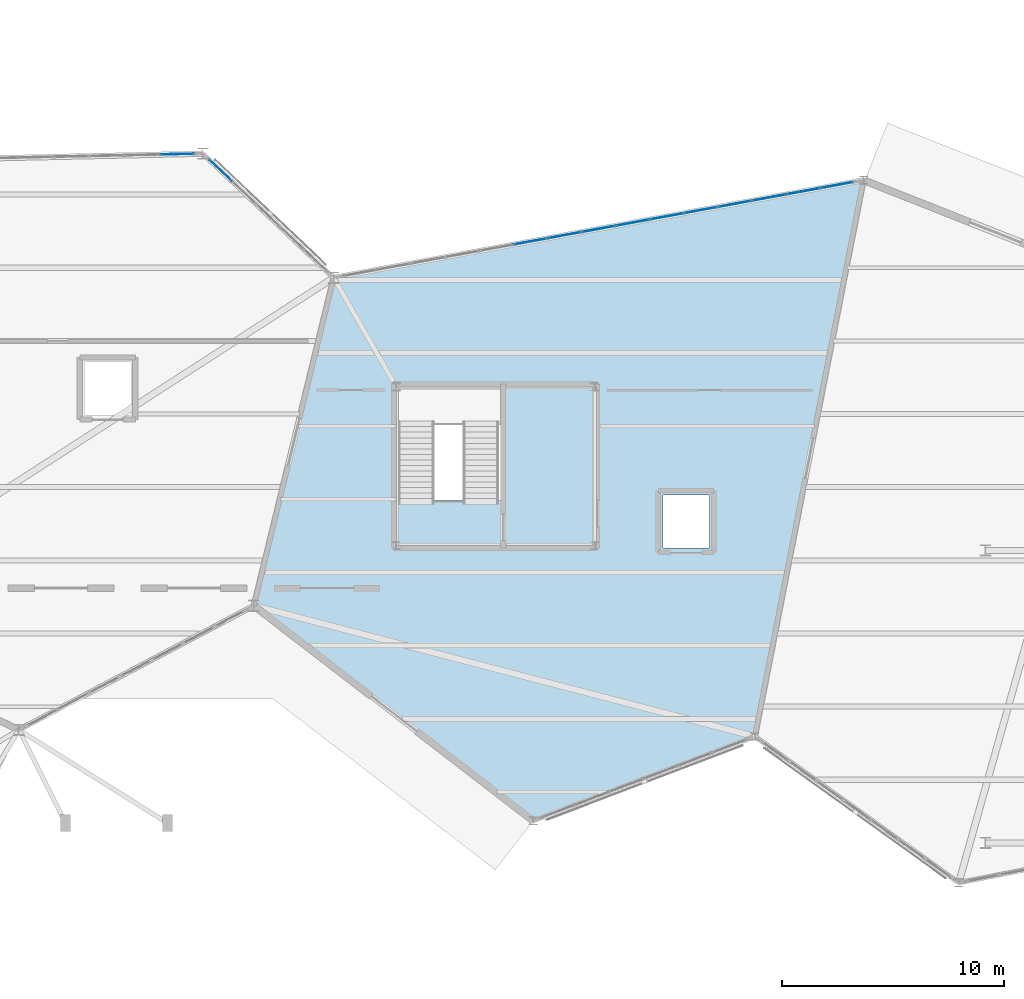
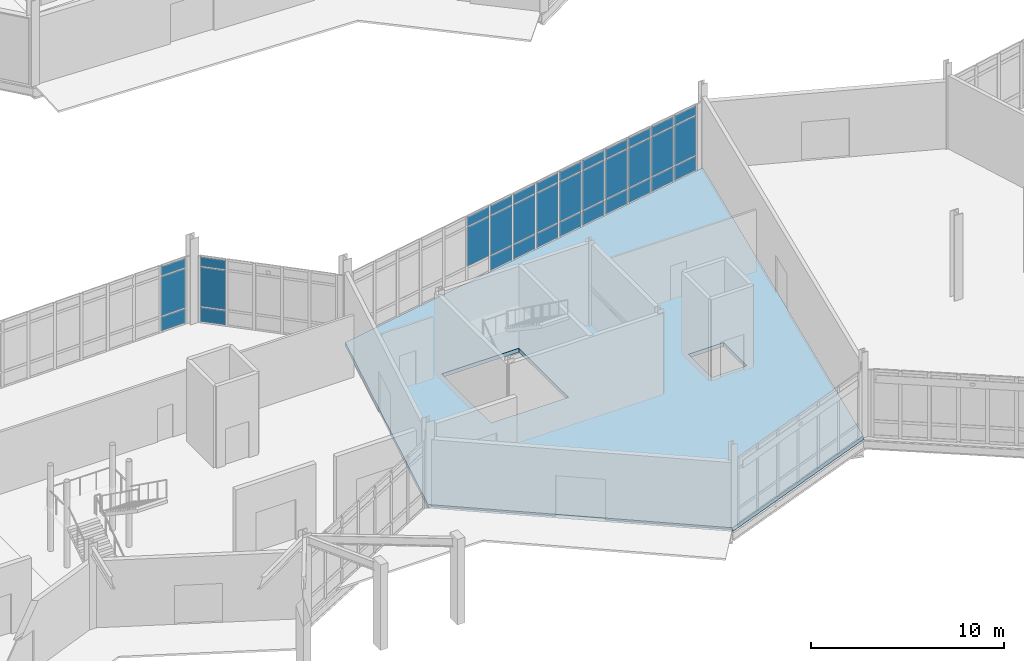
# One storey, part 74 of 113: 35 plates, 1 slab, 3 elements without a shape of their own.
"""IFC4 building model written with IfcOpenShell, lengths in metres."""

from ifc_helpers import new_model, si_unit, direction, frame, origin, origin_2d, place, context, subcontext, project, spatial, polyline, rectangle, outline, extrude, material, layer, layer_set, type_object, element, aggregate, save


model = new_model("IFC4")

# Units and contexts
model_context = context("Model", 3, precision=1e-05, world=origin(), true_north=direction((0.0, 1.0)))
body_context = subcontext(model_context, "Body", "Model", "MODEL_VIEW")
ifc_project = project(units=[si_unit("LENGTHUNIT", "METRE"), si_unit("AREAUNIT", "SQUARE_METRE"), si_unit("VOLUMEUNIT", "CUBIC_METRE"), si_unit("PLANEANGLEUNIT", "RADIAN"), si_unit("MASSUNIT", "GRAM", prefix="KILO")], contexts=[model_context])

# Site, building, storey
site_placement = place(None, origin())
site = spatial("IfcSite", under=ifc_project, at=site_placement, CompositionType="ELEMENT")
building_placement = place(site_placement, origin())
building = spatial("IfcBuilding", under=site, at=building_placement, Name="Tameran Prism Museum", CompositionType="ELEMENT")
storey_placement = place(building_placement, origin())
storey = spatial("IfcBuildingStorey", under=building, at=storey_placement, Name="L00", CompositionType="ELEMENT", Elevation=0.0)

# Curtain wall, plates
ifc_material_1 = material(Name="Anodised Aluminium 6063-T6 and Cyclone Solar Glass", Category="aluminium")
curtain_wall_type_1 = type_object("IfcCurtainWallType", Name="CW-FAC-738x422", PredefinedType="USERDEFINED", material=ifc_material_1)
curtain_wall_1_placement = place(storey_placement, origin())
curtain_wall_1 = element("IfcCurtainWall", 1, at=curtain_wall_1_placement, inside=storey, type_object=curtain_wall_type_1, Name="Unitised Curtain Wall CW-031", ObjectType="UNITISED CURTAIN WALL", PredefinedType="USERDEFINED")
ifc_material_2 = material(Name="Cyclone Laminated Solar Glass", Category="glass")
ifc_layer_1 = layer(ifc_material_2, 0.031982421875)
ifc_layer_set_1 = layer_set([ifc_layer_1])
plate_type = type_object("IfcPlateType", Name="CW-PNL-G32", PredefinedType="CURTAIN_PANEL", material=ifc_layer_set_1)
plate_1_placement = place(storey_placement, frame((96.6005859375, 47.840087890625, 0.06494140625), z_axis=(0.0, 0.0, 1.0), x_axis=(0.725307438491, -0.688425100987, 0.0)))
plate_1 = element("IfcPlate", 2, at=plate_1_placement, type_object=plate_type, Name="CW-031 panel 1.1", PredefinedType="CURTAIN_PANEL", context=body_context, shape_type="SweptSolid", body=[
    extrude(rectangle(XDim=1.37744140625, YDim=0.031982421875, at=origin_2d()), origin(), (0.0, 0.0, 1.0), 0.902587890625),
])
plate_2_placement = place(storey_placement, frame((96.6005859375, 47.840087890625, 1.032470703125), z_axis=(0.0, 0.0, 1.0), x_axis=(0.725307438491, -0.688425100987, 0.0)))
plate_2 = element("IfcPlate", 3, at=plate_2_placement, type_object=plate_type, Name="CW-031 panel 1.2", PredefinedType="CURTAIN_PANEL", context=body_context, shape_type="SweptSolid", body=[
    extrude(rectangle(XDim=1.37744140625, YDim=0.031982421875, at=origin_2d()), origin(), (0.0, 0.0, 1.0), 2.47509765625),
])
plate_3_placement = place(storey_placement, frame((96.6005859375, 47.840087890625, 3.572509765625), z_axis=(0.0, 0.0, 1.0), x_axis=(0.725307438491, -0.688425100987, 0.0)))
plate_3 = element("IfcPlate", 4, at=plate_3_placement, type_object=plate_type, Name="CW-031 panel 1.3", PredefinedType="CURTAIN_PANEL", context=body_context, shape_type="SweptSolid", body=[
    extrude(rectangle(XDim=1.37744140625, YDim=0.031982421875, at=origin_2d()), origin(), (0.0, 0.0, 1.0), 0.58251953125),
])
aggregate(curtain_wall_1, [plate_1, plate_2, plate_3])

ifc_material_3 = material(Name="Anodised Aluminium 6063-T6 and Cyclone Solar Glass", Category="aluminium")
curtain_wall_type_2 = type_object("IfcCurtainWallType", Name="CW-FAC-1754x422", PredefinedType="USERDEFINED", material=ifc_material_3)
curtain_wall_2_placement = place(storey_placement, origin())
curtain_wall_2 = element("IfcCurtainWall", 5, at=curtain_wall_2_placement, inside=storey, type_object=curtain_wall_type_2, Name="Unitised Curtain Wall CW-032", ObjectType="UNITISED CURTAIN WALL", PredefinedType="USERDEFINED")
plate_4_placement = place(storey_placement, frame((94.63525390625, 48.57421875, 0.070068359375), z_axis=(0.0, 0.0, 1.0), x_axis=(0.999761684053, 0.021830600058, 0.0)))
plate_4 = element("IfcPlate", 6, at=plate_4_placement, type_object=plate_type, Name="CW-032 panel 11.1", PredefinedType="CURTAIN_PANEL", context=body_context, shape_type="SweptSolid", body=[
    extrude(rectangle(XDim=1.489990234375, YDim=0.031982421875, at=origin_2d()), origin(), (0.0, 0.0, 1.0), 0.89501953125),
])
plate_5_placement = place(storey_placement, frame((94.63525390625, 48.57421875, 1.03515625), z_axis=(0.0, 0.0, 1.0), x_axis=(0.999761684053, 0.021830600058, 0.0)))
plate_5 = element("IfcPlate", 7, at=plate_5_placement, type_object=plate_type, Name="CW-032 panel 11.2", PredefinedType="CURTAIN_PANEL", context=body_context, shape_type="SweptSolid", body=[
    extrude(rectangle(XDim=1.489990234375, YDim=0.031982421875, at=origin_2d()), origin(), (0.0, 0.0, 1.0), 2.469970703125),
])
plate_6_placement = place(storey_placement, frame((94.63525390625, 48.57421875, 3.5751953125), z_axis=(0.0, 0.0, 1.0), x_axis=(0.999761684053, 0.021830600058, 0.0)))
plate_6 = element("IfcPlate", 8, at=plate_6_placement, type_object=plate_type, Name="CW-032 panel 11.3", PredefinedType="CURTAIN_PANEL", context=body_context, shape_type="SweptSolid", body=[
    extrude(rectangle(XDim=1.489990234375, YDim=0.031982421875, at=origin_2d()), origin(), (0.0, 0.0, 1.0), 0.574951171875),
])
aggregate(curtain_wall_2, [plate_4, plate_5, plate_6])

ifc_material_4 = material(Name="Anodised Aluminium 6063-T6 and Cyclone Solar Glass", Category="aluminium")
curtain_wall_type_3 = type_object("IfcCurtainWallType", Name="CW-FAC-2348x422", PredefinedType="USERDEFINED", material=ifc_material_4)
curtain_wall_3_placement = place(storey_placement, origin())
curtain_wall_3 = element("IfcCurtainWall", 9, at=curtain_wall_3_placement, inside=storey, type_object=curtain_wall_type_3, Name="Unitised Curtain Wall CW-036", ObjectType="UNITISED CURTAIN WALL", PredefinedType="USERDEFINED")
plate_7_placement = place(storey_placement, frame((110.5693359375, 44.6328125, 1.03515625), z_axis=(0.0, 0.0, 1.0), x_axis=(0.98347155585, 0.181062693106, 0.0)))
plate_7 = element("IfcPlate", 10, at=plate_7_placement, type_object=plate_type, Name="CW-036 panel 6.2", PredefinedType="CURTAIN_PANEL", context=body_context, shape_type="SweptSolid", body=[
    extrude(rectangle(XDim=1.4951171875, YDim=0.031982421875, at=origin_2d()), origin(), (0.0, 0.0, 1.0), 2.469970703125),
])
plate_8_placement = place(storey_placement, frame((110.5693359375, 44.6328125, 3.5751953125), z_axis=(0.0, 0.0, 1.0), x_axis=(0.98347155585, 0.181062693106, 0.0)))
plate_8 = element("IfcPlate", 11, at=plate_8_placement, type_object=plate_type, Name="CW-036 panel 6.3", PredefinedType="CURTAIN_PANEL", context=body_context, shape_type="SweptSolid", body=[
    extrude(rectangle(XDim=1.4951171875, YDim=0.031982421875, at=origin_2d()), origin(), (0.0, 0.0, 1.0), 0.574951171875),
])
plate_9_placement = place(storey_placement, frame((112.108642578125, 44.916015625, 0.070068359375), z_axis=(0.0, 0.0, 1.0), x_axis=(0.98347155585, 0.181062693106, 0.0)))
plate_9 = element("IfcPlate", 12, at=plate_9_placement, type_object=plate_type, Name="CW-036 panel 7.1", PredefinedType="CURTAIN_PANEL", context=body_context, shape_type="SweptSolid", body=[
    extrude(rectangle(XDim=1.4951171875, YDim=0.031982421875, at=origin_2d()), origin(), (0.0, 0.0, 1.0), 0.89501953125),
])
plate_10_placement = place(storey_placement, frame((112.108642578125, 44.916015625, 1.03515625), z_axis=(0.0, 0.0, 1.0), x_axis=(0.98347155585, 0.181062693106, 0.0)))
plate_10 = element("IfcPlate", 13, at=plate_10_placement, type_object=plate_type, Name="CW-036 panel 7.2", PredefinedType="CURTAIN_PANEL", context=body_context, shape_type="SweptSolid", body=[
    extrude(rectangle(XDim=1.4951171875, YDim=0.031982421875, at=origin_2d()), origin(), (0.0, 0.0, 1.0), 2.469970703125),
])
plate_11_placement = place(storey_placement, frame((112.108642578125, 44.916015625, 3.5751953125), z_axis=(0.0, 0.0, 1.0), x_axis=(0.98347155585, 0.181062693106, 0.0)))
plate_11 = element("IfcPlate", 14, at=plate_11_placement, type_object=plate_type, Name="CW-036 panel 7.3", PredefinedType="CURTAIN_PANEL", context=body_context, shape_type="SweptSolid", body=[
    extrude(rectangle(XDim=1.4951171875, YDim=0.031982421875, at=origin_2d()), origin(), (0.0, 0.0, 1.0), 0.574951171875),
])
plate_12_placement = place(storey_placement, frame((113.64794921875, 45.199462890625, 0.070068359375), z_axis=(0.0, 0.0, 1.0), x_axis=(0.98347155585, 0.181062693106, 0.0)))
plate_12 = element("IfcPlate", 15, at=plate_12_placement, type_object=plate_type, Name="CW-036 panel 8.1", PredefinedType="CURTAIN_PANEL", context=body_context, shape_type="SweptSolid", body=[
    extrude(rectangle(XDim=1.4951171875, YDim=0.031982421875, at=origin_2d()), origin(), (0.0, 0.0, 1.0), 0.89501953125),
])
plate_13_placement = place(storey_placement, frame((113.64794921875, 45.199462890625, 1.03515625), z_axis=(0.0, 0.0, 1.0), x_axis=(0.98347155585, 0.181062693106, 0.0)))
plate_13 = element("IfcPlate", 16, at=plate_13_placement, type_object=plate_type, Name="CW-036 panel 8.2", PredefinedType="CURTAIN_PANEL", context=body_context, shape_type="SweptSolid", body=[
    extrude(rectangle(XDim=1.4951171875, YDim=0.031982421875, at=origin_2d()), origin(), (0.0, 0.0, 1.0), 2.469970703125),
])
plate_14_placement = place(storey_placement, frame((113.64794921875, 45.199462890625, 3.5751953125), z_axis=(0.0, 0.0, 1.0), x_axis=(0.98347155585, 0.181062693106, 0.0)))
plate_14 = element("IfcPlate", 17, at=plate_14_placement, type_object=plate_type, Name="CW-036 panel 8.3", PredefinedType="CURTAIN_PANEL", context=body_context, shape_type="SweptSolid", body=[
    extrude(rectangle(XDim=1.4951171875, YDim=0.031982421875, at=origin_2d()), origin(), (0.0, 0.0, 1.0), 0.574951171875),
])
plate_15_placement = place(storey_placement, frame((115.187255859375, 45.48291015625, 0.070068359375), z_axis=(0.0, 0.0, 1.0), x_axis=(0.98347155585, 0.181062693106, 0.0)))
plate_15 = element("IfcPlate", 18, at=plate_15_placement, type_object=plate_type, Name="CW-036 panel 9.1", PredefinedType="CURTAIN_PANEL", context=body_context, shape_type="SweptSolid", body=[
    extrude(rectangle(XDim=1.4951171875, YDim=0.031982421875, at=origin_2d()), origin(), (0.0, 0.0, 1.0), 0.89501953125),
])
plate_16_placement = place(storey_placement, frame((115.187255859375, 45.48291015625, 1.03515625), z_axis=(0.0, 0.0, 1.0), x_axis=(0.98347155585, 0.181062693106, 0.0)))
plate_16 = element("IfcPlate", 19, at=plate_16_placement, type_object=plate_type, Name="CW-036 panel 9.2", PredefinedType="CURTAIN_PANEL", context=body_context, shape_type="SweptSolid", body=[
    extrude(rectangle(XDim=1.4951171875, YDim=0.031982421875, at=origin_2d()), origin(), (0.0, 0.0, 1.0), 2.469970703125),
])
plate_17_placement = place(storey_placement, frame((115.187255859375, 45.48291015625, 3.5751953125), z_axis=(0.0, 0.0, 1.0), x_axis=(0.98347155585, 0.181062693106, 0.0)))
plate_17 = element("IfcPlate", 20, at=plate_17_placement, type_object=plate_type, Name="CW-036 panel 9.3", PredefinedType="CURTAIN_PANEL", context=body_context, shape_type="SweptSolid", body=[
    extrude(rectangle(XDim=1.4951171875, YDim=0.031982421875, at=origin_2d()), origin(), (0.0, 0.0, 1.0), 0.574951171875),
])
plate_18_placement = place(storey_placement, frame((116.7265625, 45.766357421875, 0.070068359375), z_axis=(0.0, 0.0, 1.0), x_axis=(0.98347155585, 0.181062693106, 0.0)))
plate_18 = element("IfcPlate", 21, at=plate_18_placement, type_object=plate_type, Name="CW-036 panel 10.1", PredefinedType="CURTAIN_PANEL", context=body_context, shape_type="SweptSolid", body=[
    extrude(rectangle(XDim=1.4951171875, YDim=0.031982421875, at=origin_2d()), origin(), (0.0, 0.0, 1.0), 0.89501953125),
])
plate_19_placement = place(storey_placement, frame((116.7265625, 45.766357421875, 1.03515625), z_axis=(0.0, 0.0, 1.0), x_axis=(0.98347155585, 0.181062693106, 0.0)))
plate_19 = element("IfcPlate", 22, at=plate_19_placement, type_object=plate_type, Name="CW-036 panel 10.2", PredefinedType="CURTAIN_PANEL", context=body_context, shape_type="SweptSolid", body=[
    extrude(rectangle(XDim=1.4951171875, YDim=0.031982421875, at=origin_2d()), origin(), (0.0, 0.0, 1.0), 2.469970703125),
])
plate_20_placement = place(storey_placement, frame((116.7265625, 45.766357421875, 3.5751953125), z_axis=(0.0, 0.0, 1.0), x_axis=(0.98347155585, 0.181062693106, 0.0)))
plate_20 = element("IfcPlate", 23, at=plate_20_placement, type_object=plate_type, Name="CW-036 panel 10.3", PredefinedType="CURTAIN_PANEL", context=body_context, shape_type="SweptSolid", body=[
    extrude(rectangle(XDim=1.4951171875, YDim=0.031982421875, at=origin_2d()), origin(), (0.0, 0.0, 1.0), 0.574951171875),
])
plate_21_placement = place(storey_placement, frame((118.26611328125, 46.0498046875, 0.070068359375), z_axis=(0.0, 0.0, 1.0), x_axis=(0.98347155585, 0.181062693106, 0.0)))
plate_21 = element("IfcPlate", 24, at=plate_21_placement, type_object=plate_type, Name="CW-036 panel 11.1", PredefinedType="CURTAIN_PANEL", context=body_context, shape_type="SweptSolid", body=[
    extrude(rectangle(XDim=1.4951171875, YDim=0.031982421875, at=origin_2d()), origin(), (0.0, 0.0, 1.0), 0.89501953125),
])
plate_22_placement = place(storey_placement, frame((118.26611328125, 46.0498046875, 1.03515625), z_axis=(0.0, 0.0, 1.0), x_axis=(0.98347155585, 0.181062693106, 0.0)))
plate_22 = element("IfcPlate", 25, at=plate_22_placement, type_object=plate_type, Name="CW-036 panel 11.2", PredefinedType="CURTAIN_PANEL", context=body_context, shape_type="SweptSolid", body=[
    extrude(rectangle(XDim=1.4951171875, YDim=0.031982421875, at=origin_2d()), origin(), (0.0, 0.0, 1.0), 2.469970703125),
])
plate_23_placement = place(storey_placement, frame((118.26611328125, 46.0498046875, 3.5751953125), z_axis=(0.0, 0.0, 1.0), x_axis=(0.98347155585, 0.181062693106, 0.0)))
plate_23 = element("IfcPlate", 26, at=plate_23_placement, type_object=plate_type, Name="CW-036 panel 11.3", PredefinedType="CURTAIN_PANEL", context=body_context, shape_type="SweptSolid", body=[
    extrude(rectangle(XDim=1.4951171875, YDim=0.031982421875, at=origin_2d()), origin(), (0.0, 0.0, 1.0), 0.574951171875),
])
plate_24_placement = place(storey_placement, frame((119.805419921875, 46.3330078125, 0.070068359375), z_axis=(0.0, 0.0, 1.0), x_axis=(0.98347155585, 0.181062693106, 0.0)))
plate_24 = element("IfcPlate", 27, at=plate_24_placement, type_object=plate_type, Name="CW-036 panel 12.1", PredefinedType="CURTAIN_PANEL", context=body_context, shape_type="SweptSolid", body=[
    extrude(rectangle(XDim=1.4951171875, YDim=0.031982421875, at=origin_2d()), origin(), (0.0, 0.0, 1.0), 0.89501953125),
])
plate_25_placement = place(storey_placement, frame((119.805419921875, 46.3330078125, 1.03515625), z_axis=(0.0, 0.0, 1.0), x_axis=(0.98347155585, 0.181062693106, 0.0)))
plate_25 = element("IfcPlate", 28, at=plate_25_placement, type_object=plate_type, Name="CW-036 panel 12.2", PredefinedType="CURTAIN_PANEL", context=body_context, shape_type="SweptSolid", body=[
    extrude(rectangle(XDim=1.4951171875, YDim=0.031982421875, at=origin_2d()), origin(), (0.0, 0.0, 1.0), 2.469970703125),
])
plate_26_placement = place(storey_placement, frame((119.805419921875, 46.3330078125, 3.5751953125), z_axis=(0.0, 0.0, 1.0), x_axis=(0.98347155585, 0.181062693106, 0.0)))
plate_26 = element("IfcPlate", 29, at=plate_26_placement, type_object=plate_type, Name="CW-036 panel 12.3", PredefinedType="CURTAIN_PANEL", context=body_context, shape_type="SweptSolid", body=[
    extrude(rectangle(XDim=1.4951171875, YDim=0.031982421875, at=origin_2d()), origin(), (0.0, 0.0, 1.0), 0.574951171875),
])
plate_27_placement = place(storey_placement, frame((121.3447265625, 46.616455078125, 0.070068359375), z_axis=(0.0, 0.0, 1.0), x_axis=(0.98347155585, 0.181062693106, 0.0)))
plate_27 = element("IfcPlate", 30, at=plate_27_placement, type_object=plate_type, Name="CW-036 panel 13.1", PredefinedType="CURTAIN_PANEL", context=body_context, shape_type="SweptSolid", body=[
    extrude(rectangle(XDim=1.4951171875, YDim=0.031982421875, at=origin_2d()), origin(), (0.0, 0.0, 1.0), 0.89501953125),
])
plate_28_placement = place(storey_placement, frame((121.3447265625, 46.616455078125, 1.03515625), z_axis=(0.0, 0.0, 1.0), x_axis=(0.98347155585, 0.181062693106, 0.0)))
plate_28 = element("IfcPlate", 31, at=plate_28_placement, type_object=plate_type, Name="CW-036 panel 13.2", PredefinedType="CURTAIN_PANEL", context=body_context, shape_type="SweptSolid", body=[
    extrude(rectangle(XDim=1.4951171875, YDim=0.031982421875, at=origin_2d()), origin(), (0.0, 0.0, 1.0), 2.469970703125),
])
plate_29_placement = place(storey_placement, frame((121.3447265625, 46.616455078125, 3.5751953125), z_axis=(0.0, 0.0, 1.0), x_axis=(0.98347155585, 0.181062693106, 0.0)))
plate_29 = element("IfcPlate", 32, at=plate_29_placement, type_object=plate_type, Name="CW-036 panel 13.3", PredefinedType="CURTAIN_PANEL", context=body_context, shape_type="SweptSolid", body=[
    extrude(rectangle(XDim=1.4951171875, YDim=0.031982421875, at=origin_2d()), origin(), (0.0, 0.0, 1.0), 0.574951171875),
])
plate_30_placement = place(storey_placement, frame((122.884033203125, 46.89990234375, 0.070068359375), z_axis=(0.0, 0.0, 1.0), x_axis=(0.98347155585, 0.181062693106, 0.0)))
plate_30 = element("IfcPlate", 33, at=plate_30_placement, type_object=plate_type, Name="CW-036 panel 14.1", PredefinedType="CURTAIN_PANEL", context=body_context, shape_type="SweptSolid", body=[
    extrude(rectangle(XDim=1.4951171875, YDim=0.031982421875, at=origin_2d()), origin(), (0.0, 0.0, 1.0), 0.89501953125),
])
plate_31_placement = place(storey_placement, frame((122.884033203125, 46.89990234375, 1.03515625), z_axis=(0.0, 0.0, 1.0), x_axis=(0.98347155585, 0.181062693106, 0.0)))
plate_31 = element("IfcPlate", 34, at=plate_31_placement, type_object=plate_type, Name="CW-036 panel 14.2", PredefinedType="CURTAIN_PANEL", context=body_context, shape_type="SweptSolid", body=[
    extrude(rectangle(XDim=1.4951171875, YDim=0.031982421875, at=origin_2d()), origin(), (0.0, 0.0, 1.0), 2.469970703125),
])
plate_32_placement = place(storey_placement, frame((122.884033203125, 46.89990234375, 3.5751953125), z_axis=(0.0, 0.0, 1.0), x_axis=(0.98347155585, 0.181062693106, 0.0)))
plate_32 = element("IfcPlate", 35, at=plate_32_placement, type_object=plate_type, Name="CW-036 panel 14.3", PredefinedType="CURTAIN_PANEL", context=body_context, shape_type="SweptSolid", body=[
    extrude(rectangle(XDim=1.4951171875, YDim=0.031982421875, at=origin_2d()), origin(), (0.0, 0.0, 1.0), 0.574951171875),
])
plate_33_placement = place(storey_placement, frame((124.406005859375, 47.18017578125, 0.070068359375), z_axis=(0.0, 0.0, 1.0), x_axis=(0.98347155585, 0.181062693106, 0.0)))
plate_33 = element("IfcPlate", 36, at=plate_33_placement, type_object=plate_type, Name="CW-036 panel 15.1", PredefinedType="CURTAIN_PANEL", context=body_context, shape_type="SweptSolid", body=[
    extrude(rectangle(XDim=1.460205078125, YDim=0.031982421875, at=origin_2d()), origin(), (0.0, 0.0, 1.0), 0.89501953125),
])
plate_34_placement = place(storey_placement, frame((124.406005859375, 47.18017578125, 1.03515625), z_axis=(0.0, 0.0, 1.0), x_axis=(0.98347155585, 0.181062693106, 0.0)))
plate_34 = element("IfcPlate", 37, at=plate_34_placement, type_object=plate_type, Name="CW-036 panel 15.2", PredefinedType="CURTAIN_PANEL", context=body_context, shape_type="SweptSolid", body=[
    extrude(rectangle(XDim=1.460205078125, YDim=0.031982421875, at=origin_2d()), origin(), (0.0, 0.0, 1.0), 2.469970703125),
])
plate_35_placement = place(storey_placement, frame((124.406005859375, 47.18017578125, 3.5751953125), z_axis=(0.0, 0.0, 1.0), x_axis=(0.98347155585, 0.181062693106, 0.0)))
plate_35 = element("IfcPlate", 38, at=plate_35_placement, type_object=plate_type, Name="CW-036 panel 15.3", PredefinedType="CURTAIN_PANEL", context=body_context, shape_type="SweptSolid", body=[
    extrude(rectangle(XDim=1.460205078125, YDim=0.031982421875, at=origin_2d()), origin(), (0.0, 0.0, 1.0), 0.574951171875),
])
aggregate(curtain_wall_3, [plate_7, plate_8, plate_9, plate_10, plate_11, plate_12, plate_13, plate_14, plate_15, plate_16, plate_17, plate_18, plate_19, plate_20, plate_21, plate_22, plate_23, plate_24, plate_25, plate_26, plate_27, plate_28, plate_29, plate_30, plate_31, plate_32, plate_33, plate_34, plate_35])

# Slab
ifc_material_5 = material(Name="Concrete N40 (40 MPa)", Category="concrete")
ifc_layer_2 = layer(ifc_material_5, 0.239990234375)
ifc_layer_set_2 = layer_set([ifc_layer_2])
slab_type = type_object("IfcSlabType", Name="SL-FLR-240", PredefinedType="FLOOR", material=ifc_layer_set_2)
slab_placement = place(storey_placement, frame((0.0, 0.0, -0.239990234375)))
element("IfcSlab", 39, at=slab_placement, inside=storey, type_object=slab_type, Name="Floor Slab FS-P08-L00", PredefinedType="FLOOR", context=body_context, shape_type="SweptSolid", body=[
    extrude(outline(polyline([(101.699951171875, 43.0), (125.60009765625, 47.39990234375), (120.699951171875, 22.300048828125), (110.699951171875, 18.5), (98.10009765625, 28.199951171875), (101.699951171875, 43.0)]), holes=[polyline([(118.64990234375, 30.800048828125), (118.64990234375, 33.199951171875), (116.550048828125, 33.199951171875), (116.550048828125, 30.800048828125), (118.64990234375, 30.800048828125)]), polyline([(109.219970703125, 32.93994140625), (109.219970703125, 38.050048828125), (104.60009765625, 38.050048828125), (104.60009765625, 32.93994140625), (109.219970703125, 32.93994140625)])]), origin(), (0.0, 0.0, 1.0), 0.239990234375),
])

save(model, "model.ifc")
